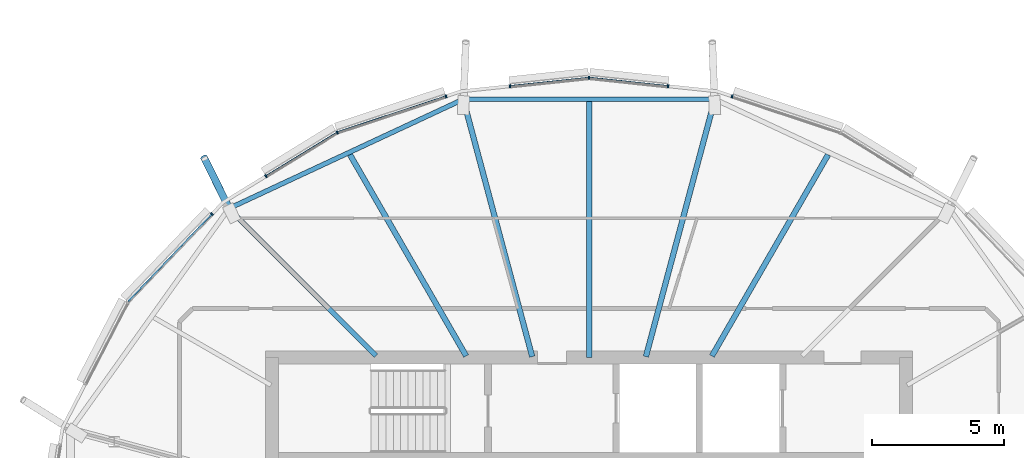
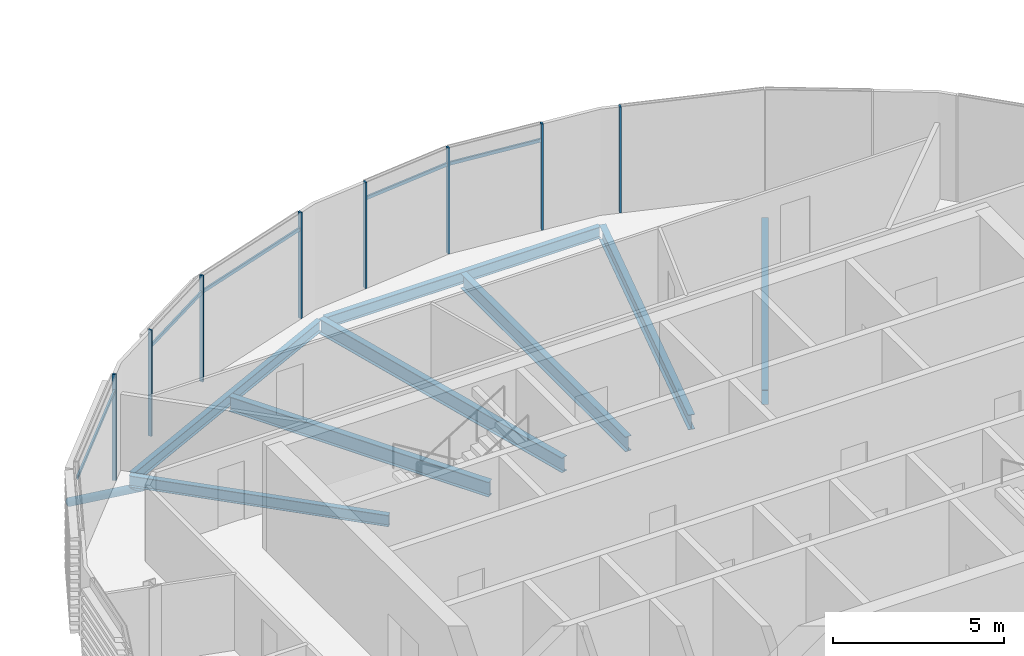
# One storey, part 7 of 35: 14 members, 8 beams, 1 element without a shape of its own.
"""IFC4 building model written with IfcOpenShell, lengths in metres."""

from ifc_helpers import new_model, si_unit, direction, frame, origin, origin_2d, place, context, subcontext, project, spatial, rectangle, hollow_circle, i_section, extrude, clip, halfspace, material, material_profile, profile_set, type_object, element, aggregate, save


model = new_model("IFC4")

# Units and contexts
model_context = context("Model", 3, precision=1e-05, world=origin(), true_north=direction((0.0, 1.0)))
body_context = subcontext(model_context, "Body", "Model", "MODEL_VIEW")
ifc_project = project(units=[si_unit("LENGTHUNIT", "METRE"), si_unit("AREAUNIT", "SQUARE_METRE"), si_unit("VOLUMEUNIT", "CUBIC_METRE"), si_unit("PLANEANGLEUNIT", "RADIAN"), si_unit("MASSUNIT", "GRAM", prefix="KILO")], contexts=[model_context])

# Site, building, storey
site_placement = place(None, origin())
site = spatial("IfcSite", under=ifc_project, at=site_placement, CompositionType="ELEMENT")
building_placement = place(site_placement, origin())
building = spatial("IfcBuilding", under=site, at=building_placement, Name="Rimbun Link Towers", CompositionType="ELEMENT")
storey_placement = place(building_placement, frame((0.0, 0.0, 225.699951171875)))
storey = spatial("IfcBuildingStorey", under=building, at=storey_placement, Name="L55", CompositionType="ELEMENT", Elevation=225.699951171875)

# Curtain wall, members
ifc_material_1 = material(Name="Aluminium 6063-T6 and low-iron glass", Category="aluminium")
curtain_wall_type = type_object("IfcCurtainWallType", Name="CW1-Z4 unitised vision wall (zone 4)", PredefinedType="NOTDEFINED", material=ifc_material_1)
curtain_wall_placement = place(storey_placement, origin())
curtain_wall = element("IfcCurtainWall", 1, at=curtain_wall_placement, inside=storey, type_object=curtain_wall_type, Name="CW1 L55 T1", PredefinedType="NOTDEFINED")
ifc_material_2 = material(Name="Aluminium 6063-T6", Category="aluminium")
ifc_material_profile_1 = material_profile(ifc_material_2, rectangle(XDim=0.1201171875, YDim=0.06005859375, at=origin_2d()), Name="MULLION 60X120")
ifc_profile_set_1 = profile_set([ifc_material_profile_1], Name="Aluminium 6063-T6")
member_type_1 = type_object("IfcMemberType", Name="CW1 mullion 60X120", PredefinedType="MULLION", material=ifc_profile_set_1)
member_1_placement = place(storey_placement, frame((-26.335205078125, 17.880126953125, 0.0), z_axis=(0.0, 0.0, 1.0), x_axis=(0.314565372391, 0.949235811847, 0.0)))
member_1 = element("IfcMember", 2, at=member_1_placement, type_object=member_type_1, Name="CW1 mullion", PredefinedType="MULLION", context=body_context, shape_type="SweptSolid", body=[
    extrude(rectangle(XDim=0.1201171875, YDim=0.06005859375, at=origin_2d()), origin(), (0.0, 0.0, 1.0), 3.800048828125),
])
member_2_placement = place(storey_placement, frame((-31.75, 18.580322265625, 0.0), z_axis=(0.0, 0.0, 1.0), x_axis=(0.0, 1.0, 0.0)))
member_2 = element("IfcMember", 3, at=member_2_placement, type_object=member_type_1, Name="CW1 mullion", PredefinedType="MULLION", context=body_context, shape_type="SweptSolid", body=[
    extrude(rectangle(XDim=0.1201171875, YDim=0.06005859375, at=origin_2d()), origin(), (0.0, 0.0, 1.0), 3.800048828125),
])
member_3_placement = place(storey_placement, frame((-28.75732421875, 18.265380859375, 0.0), z_axis=(0.0, 0.0, 1.0), x_axis=(0.104739488627, 0.994499693073, 0.0)))
member_3 = element("IfcMember", 4, at=member_3_placement, type_object=member_type_1, Name="CW1 mullion", PredefinedType="MULLION", context=body_context, shape_type="SweptSolid", body=[
    extrude(rectangle(XDim=0.1201171875, YDim=0.06005859375, at=origin_2d()), origin(), (0.0, 0.0, 1.0), 3.800048828125),
])
member_4_placement = place(storey_placement, frame((-34.74267578125, 18.265380859375, 0.0), z_axis=(0.0, 0.0, 1.0), x_axis=(-0.104739488627, 0.994499693073, 0.0)))
member_4 = element("IfcMember", 5, at=member_4_placement, type_object=member_type_1, Name="CW1 mullion", PredefinedType="MULLION", context=body_context, shape_type="SweptSolid", body=[
    extrude(rectangle(XDim=0.1201171875, YDim=0.06005859375, at=origin_2d()), origin(), (0.0, 0.0, 1.0), 3.800048828125),
])
member_5_placement = place(storey_placement, frame((-41.279541015625, 16.51611328125, 0.0), z_axis=(0.0, 0.0, 1.0), x_axis=(-0.421702193119, 0.90673439348, 0.0)))
member_5 = element("IfcMember", 6, at=member_5_placement, type_object=member_type_1, Name="CW1 mullion", PredefinedType="MULLION", context=body_context, shape_type="SweptSolid", body=[
    extrude(rectangle(XDim=0.1201171875, YDim=0.06005859375, at=origin_2d()), origin(), (0.0, 0.0, 1.0), 3.800048828125),
])
member_6_placement = place(storey_placement, frame((-37.164794921875, 17.880126953125, 0.0), z_axis=(0.0, 0.0, 1.0), x_axis=(-0.314565372391, 0.949235811847, 0.0)))
member_6 = element("IfcMember", 7, at=member_6_placement, type_object=member_type_1, Name="CW1 mullion", PredefinedType="MULLION", context=body_context, shape_type="SweptSolid", body=[
    extrude(rectangle(XDim=0.1201171875, YDim=0.06005859375, at=origin_2d()), origin(), (0.0, 0.0, 1.0), 3.800048828125),
])
member_7_placement = place(storey_placement, frame((-43.977294921875, 14.8603515625, 0.0), z_axis=(0.0, 0.0, 1.0), x_axis=(-0.523236839844, 0.852187308888, 0.0)))
member_7 = element("IfcMember", 8, at=member_7_placement, type_object=member_type_1, Name="CW1 mullion", PredefinedType="MULLION", context=body_context, shape_type="SweptSolid", body=[
    extrude(rectangle(XDim=0.1201171875, YDim=0.06005859375, at=origin_2d()), origin(), (0.0, 0.0, 1.0), 3.800048828125),
])
member_8_placement = place(storey_placement, frame((-46.0234375, 13.42333984375, 0.0), z_axis=(0.0, 0.0, 1.0), x_axis=(-0.721853472084, 0.692045926829, 0.0)))
member_8 = element("IfcMember", 9, at=member_8_placement, type_object=member_type_1, Name="CW1 mullion", PredefinedType="MULLION", context=body_context, shape_type="SweptSolid", body=[
    extrude(rectangle(XDim=0.1201171875, YDim=0.06005859375, at=origin_2d()), origin(), (0.0, 0.0, 1.0), 3.800048828125),
])
ifc_material_3 = material(Name="Aluminium 6063-T6", Category="aluminium")
ifc_material_profile_2 = material_profile(ifc_material_3, rectangle(XDim=0.06005859375, YDim=0.1201171875, at=origin_2d()), Name="TRANSOM 60X120")
ifc_profile_set_2 = profile_set([ifc_material_profile_2], Name="Aluminium 6063-T6")
member_type_2 = type_object("IfcMemberType", Name="CW1 transom 60X120", PredefinedType="USERDEFINED", material=ifc_profile_set_2)
member_9_placement = place(storey_placement, frame((-31.714111328125, 18.574951171875, 3.199951171875), z_axis=(0.994495902979, -0.104775469258, 0.0), x_axis=(0.104775469258, 0.994495902979, 0.0)))
member_9 = element("IfcMember", 10, at=member_9_placement, type_object=member_type_2, Name="CW1 transom", ObjectType="TRANSOM", PredefinedType="USERDEFINED", context=body_context, shape_type="SweptSolid", body=[
    extrude(rectangle(XDim=0.06005859375, YDim=0.1201171875, at=origin_2d()), origin(), (0.0, 0.0, 1.0), 2.94287109375),
])
member_10_placement = place(storey_placement, frame((-34.712646484375, 18.2666015625, 3.199951171875), z_axis=(0.994495902979, 0.104775469258, 0.0), x_axis=(-0.104775469258, 0.994495902979, 0.0)))
member_10 = element("IfcMember", 11, at=member_10_placement, type_object=member_type_2, Name="CW1 transom", ObjectType="TRANSOM", PredefinedType="USERDEFINED", context=body_context, shape_type="SweptSolid", body=[
    extrude(rectangle(XDim=0.06005859375, YDim=0.1201171875, at=origin_2d()), origin(), (0.0, 0.0, 1.0), 2.94287109375),
])
member_11_placement = place(storey_placement, frame((-41.243896484375, 16.5263671875, 3.199951171875), z_axis=(0.949236712638, 0.31456265414, 0.0), x_axis=(-0.31456265414, 0.949236712638, 0.0)))
member_11 = element("IfcMember", 12, at=member_11_placement, type_object=member_type_2, Name="CW1 transom", ObjectType="TRANSOM", PredefinedType="USERDEFINED", context=body_context, shape_type="SweptSolid", body=[
    extrude(rectangle(XDim=0.06005859375, YDim=0.1201171875, at=origin_2d()), origin(), (0.0, 0.0, 1.0), 4.267822265625),
])
member_12_placement = place(storey_placement, frame((-43.95068359375, 14.874267578125, 3.199951171875), z_axis=(0.852185401851, 0.523239945792, 0.0), x_axis=(-0.523239945792, 0.852185401851, 0.0)))
member_12 = element("IfcMember", 13, at=member_12_placement, type_object=member_type_2, Name="CW1 transom", ObjectType="TRANSOM", PredefinedType="USERDEFINED", context=body_context, shape_type="SweptSolid", body=[
    extrude(rectangle(XDim=0.06005859375, YDim=0.1201171875, at=origin_2d()), origin(), (0.0, 0.0, 1.0), 3.0986328125),
])
member_13_placement = place(storey_placement, frame((-49.189453125, 10.118408203125, 3.199951171875), z_axis=(0.692048801136, 0.721850716455, 0.0), x_axis=(-0.721850716455, 0.692048801136, 0.0)))
member_13 = element("IfcMember", 14, at=member_13_placement, type_object=member_type_2, Name="CW1 transom", ObjectType="TRANSOM", PredefinedType="USERDEFINED", context=body_context, shape_type="SweptSolid", body=[
    extrude(rectangle(XDim=0.06005859375, YDim=0.1201171875, at=origin_2d()), origin(), (0.0, 0.0, 1.0), 4.546630859375),
])
aggregate(curtain_wall, [member_1, member_2, member_3, member_4, member_5, member_6, member_7, member_8, member_9, member_10, member_11, member_12, member_13])

# Member
ifc_material_4 = material(Name="Steel S355J2H", Category="steel")
ifc_material_profile_3 = material_profile(ifc_material_4, hollow_circle(Radius=0.136474609375, WallThickness=0.012451171875, at=origin_2d()), Name="CHS 273x12.5")
ifc_profile_set_3 = profile_set([ifc_material_profile_3], Name="Steel S355J2H")
member_type_3 = type_object("IfcMemberType", Name="Floor edge link CHS 273x12.5", PredefinedType="BRACE", material=ifc_profile_set_3)
member_14_placement = place(storey_placement, frame((-45.347900390625, 13.597900390625, -0.662841796875), z_axis=(-0.380211457704, 0.768215302193, -0.515057760748), x_axis=(-0.896237995712, -0.443573505794, 0.0)))
element("IfcMember", 15, at=member_14_placement, inside=storey, type_object=member_type_3, Name="Floor edge link T1 L55 09", PredefinedType="BRACE", context=body_context, shape_type="Clipping", body=[
    clip(extrude(hollow_circle(Radius=0.136474609375, WallThickness=0.012451171875, at=origin_2d()), frame((0.0, 0.0, -0.473876953125)), (0.0, 0.0, 1.0), 3.04296875), halfspace(frame((0.0, 0.0, -0.22216796875), z_axis=(0.0, 0.85715547195, -0.515057760748)), False)),
])

# Beams
ifc_material_5 = material(Name="Steel S355J2", Category="steel")
ifc_material_profile_4 = material_profile(ifc_material_5, i_section(OverallWidth=0.177978515625, OverallDepth=0.406494140625, WebThickness=0.0078125, FlangeThickness=0.0126953125, at=origin_2d()), Name="UB 406x178x60")
ifc_profile_set_4 = profile_set([ifc_material_profile_4], Name="Steel S355J2")
beam_type_1 = type_object("IfcBeamType", Name="UB 406x178x60", PredefinedType="BEAM", material=ifc_profile_set_4)
beam_1_placement = place(storey_placement, frame((-39.813720703125, 8.063720703125, -0.34326171875), z_axis=(-0.707106781187, 0.707106781187, 0.0), x_axis=(-0.707106781187, -0.707106781187, 0.0)))
element("IfcBeam", 16, at=beam_1_placement, inside=storey, type_object=beam_type_1, Name="Radial beam T1 L55 09", PredefinedType="BEAM", context=body_context, shape_type="SweptSolid", body=[
    extrude(i_section(OverallWidth=0.177978515625, OverallDepth=0.406494140625, WebThickness=0.0078125, FlangeThickness=0.0126953125, at=origin_2d()), origin(), (0.0, 0.0, 1.0), 7.87646484375),
])
beam_2_placement = place(storey_placement, frame((-27.098388671875, 17.767578125, -0.34326171875), z_axis=(-1.0, 0.0, 0.0), x_axis=(0.0, -1.0, 0.0)))
element("IfcBeam", 17, at=beam_2_placement, inside=storey, type_object=beam_type_1, Name="Edge beam T1 L55 05-07", PredefinedType="BEAM", context=body_context, shape_type="SweptSolid", body=[
    extrude(i_section(OverallWidth=0.177978515625, OverallDepth=0.406494140625, WebThickness=0.0078125, FlangeThickness=0.0126953125, at=origin_2d()), origin(), (0.0, 0.0, 1.0), 9.30322265625),
])
beam_3_placement = place(storey_placement, frame((-36.60791015625, 17.72216796875, -0.34326171875), z_axis=(-0.906424399084, -0.422368096269, 0.0), x_axis=(0.422368096269, -0.906424399084, 0.0)))
element("IfcBeam", 18, at=beam_3_placement, inside=storey, type_object=beam_type_1, Name="Edge beam T1 L55 07-09", PredefinedType="BEAM", context=body_context, shape_type="SweptSolid", body=[
    extrude(i_section(OverallWidth=0.177978515625, OverallDepth=0.406494140625, WebThickness=0.0078125, FlangeThickness=0.0126953125, at=origin_2d()), origin(), (0.0, 0.0, 1.0), 9.58544921875),
])
ifc_material_6 = material(Name="Steel S355J2", Category="steel")
ifc_material_profile_5 = material_profile(ifc_material_6, i_section(OverallWidth=0.209228515625, OverallDepth=0.533203125, WebThickness=0.010009765625, FlangeThickness=0.015625, at=origin_2d()), Name="UB 533x210x92")
ifc_profile_set_5 = profile_set([ifc_material_profile_5], Name="Steel S355J2")
beam_type_2 = type_object("IfcBeamType", Name="UB 533x210x92", PredefinedType="BEAM", material=ifc_profile_set_5)
beam_4_placement = place(storey_placement, frame((-27.1005859375, 8.05322265625, -0.406494140625), z_axis=(0.500010759992, 0.866019191411, 0.0), x_axis=(-0.866019191411, 0.500010759992, 0.0)))
element("IfcBeam", 19, at=beam_4_placement, inside=storey, type_object=beam_type_2, Name="Radial beam T1 L55 04", PredefinedType="BEAM", context=body_context, shape_type="SweptSolid", body=[
    extrude(i_section(OverallWidth=0.209228515625, OverallDepth=0.533203125, WebThickness=0.010009765625, FlangeThickness=0.015625, at=origin_2d()), origin(), (0.0, 0.0, 1.0), 8.796142578125),
])
beam_5_placement = place(storey_placement, frame((-29.598876953125, 8.028076171875, -0.406494140625), z_axis=(0.25881233255, 0.965927624887, 0.0), x_axis=(-0.965927624887, 0.25881233255, 0.0)))
element("IfcBeam", 20, at=beam_5_placement, inside=storey, type_object=beam_type_2, Name="Radial beam T1 L55 05", PredefinedType="BEAM", context=body_context, shape_type="SweptSolid", body=[
    extrude(i_section(OverallWidth=0.209228515625, OverallDepth=0.533203125, WebThickness=0.010009765625, FlangeThickness=0.015625, at=origin_2d()), origin(), (0.0, 0.0, 1.0), 10.0830078125),
])
beam_6_placement = place(storey_placement, frame((-31.75, 8.0009765625, -0.406494140625), z_axis=(0.0, 1.0, 0.0), x_axis=(-1.0, 0.0, 0.0)))
element("IfcBeam", 21, at=beam_6_placement, inside=storey, type_object=beam_type_2, Name="Radial beam T1 L55 06", PredefinedType="BEAM", context=body_context, shape_type="SweptSolid", body=[
    extrude(i_section(OverallWidth=0.209228515625, OverallDepth=0.533203125, WebThickness=0.010009765625, FlangeThickness=0.015625, at=origin_2d()), origin(), (0.0, 0.0, 1.0), 9.676513671875),
])
beam_7_placement = place(storey_placement, frame((-33.901123046875, 8.028076171875, -0.406494140625), z_axis=(-0.25881233255, 0.965927624887, 0.0), x_axis=(-0.965927624887, -0.25881233255, 0.0)))
element("IfcBeam", 22, at=beam_7_placement, inside=storey, type_object=beam_type_2, Name="Radial beam T1 L55 07", PredefinedType="BEAM", context=body_context, shape_type="SweptSolid", body=[
    extrude(i_section(OverallWidth=0.209228515625, OverallDepth=0.533203125, WebThickness=0.010009765625, FlangeThickness=0.015625, at=origin_2d()), origin(), (0.0, 0.0, 1.0), 10.0830078125),
])
beam_8_placement = place(storey_placement, frame((-36.3994140625, 8.05322265625, -0.406494140625), z_axis=(-0.500010759992, 0.866019191411, 0.0), x_axis=(-0.866019191411, -0.500010759992, 0.0)))
element("IfcBeam", 23, at=beam_8_placement, inside=storey, type_object=beam_type_2, Name="Radial beam T1 L55 08", PredefinedType="BEAM", context=body_context, shape_type="SweptSolid", body=[
    extrude(i_section(OverallWidth=0.209228515625, OverallDepth=0.533203125, WebThickness=0.010009765625, FlangeThickness=0.015625, at=origin_2d()), origin(), (0.0, 0.0, 1.0), 8.796142578125),
])

save(model, "model.ifc")
